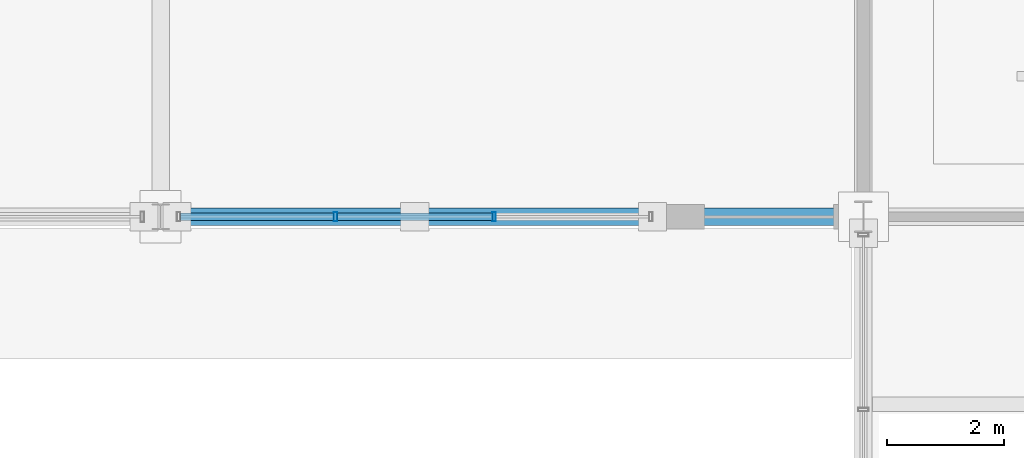
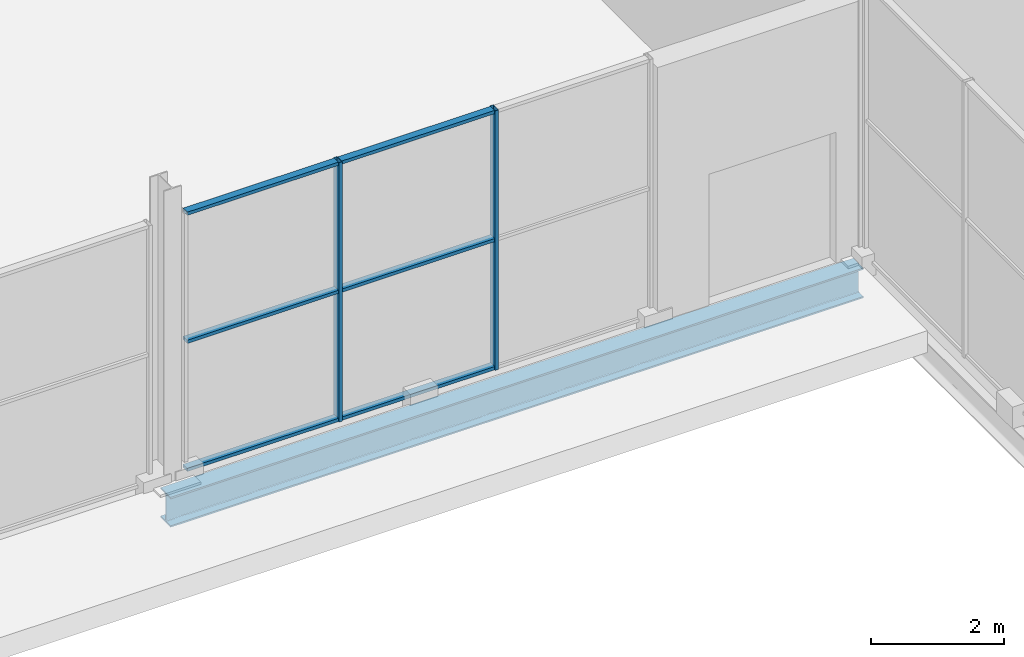
# One storey, part 126 of 196: 8 members, 1 beam, 1 element without a shape of its own.
"""IFC4 building model written with IfcOpenShell, lengths in metres."""

import ifcopenshell
import ifcopenshell.guid

model = None  # the IFC model being written
_history = None  # IfcOwnerHistory: only IFC2X3 demands one
_inside = {}  # id of a spatial element -> (the spatial element, [elements in it])
_under = {}  # id of a project, library or spatial element -> (it, [spatial elements below it])
_declared = {}  # id of a project -> (the project, [libraries it declares])
_typed = {}  # id of a type object -> (the type object, [elements of that type])
_made_of = {}  # id of a material, layer set ... -> (it, [elements and type objects made of it])


def new_model(schema):
    """Start an empty IFC model of exactly this schema.

    Asked for "IFC4X3", IfcOpenShell would pick the latest addendum, in which some entities
    have other attributes; the version numbers below select the first issue.
    IFC2X3 requires an IfcOwnerHistory on every rooted entity: one is made here for all.
    """
    global model, _history
    if schema == "IFC4X3":
        model = ifcopenshell.file(schema_version=(4, 3, 0, 0))
    else:
        model = ifcopenshell.file(schema=schema)
    _inside.clear()
    _under.clear()
    _declared.clear()
    _typed.clear()
    _made_of.clear()
    _history = None
    if model.schema == "IFC2X3":
        org = make("IfcOrganization", Name="unknown")
        user = make(
            "IfcPersonAndOrganization",
            ThePerson=make("IfcPerson", FamilyName="unknown"),
            TheOrganization=org,
        )
        app = make(
            "IfcApplication",
            ApplicationDeveloper=org,
            Version="unknown",
            ApplicationFullName="unknown",
            ApplicationIdentifier="unknown",
        )
        _history = make(
            "IfcOwnerHistory",
            OwningUser=user,
            OwningApplication=app,
            ChangeAction="ADDED",
            CreationDate=0,
        )
    return model


def make(cls, **values):
    """One entity of the class cls with the attributes given. An attribute that is None is left unset."""
    return model.create_entity(
        cls, **{name: value for name, value in values.items() if value is not None}
    )


def rooted(cls, **values):
    """An entity with a GlobalId (a new one), such as an element, a storey or a relation."""
    return make(cls, GlobalId=ifcopenshell.guid.new(), OwnerHistory=_history, **values)


def si_unit(unit_type, name, prefix=None):
    """IfcSIUnit, for example si_unit("LENGTHUNIT", "METRE", prefix="MILLI")."""
    return make("IfcSIUnit", UnitType=unit_type, Prefix=prefix, Name=name)


def assignment(units):
    """IfcUnitAssignment: the units of a project."""
    return None if units is None else make("IfcUnitAssignment", Units=units)


def point(xyz):
    """IfcCartesianPoint."""
    return None if xyz is None else make("IfcCartesianPoint", Coordinates=xyz)


def direction(xyz):
    """IfcDirection."""
    return None if xyz is None else make("IfcDirection", DirectionRatios=xyz)


def frame(location, z_axis=None, x_axis=None):
    """IfcAxis2Placement3D, a coordinate frame: its origin and axes. An axis left out is left unset."""
    return make(
        "IfcAxis2Placement3D",
        Location=point(location),
        Axis=direction(z_axis),
        RefDirection=direction(x_axis),
    )


def frame_2d(location, x_axis=None):
    """IfcAxis2Placement2D, a coordinate frame in the plane: its origin and x axis."""
    return make(
        "IfcAxis2Placement2D", Location=point(location), RefDirection=direction(x_axis)
    )


def origin():
    """The frame at (0, 0, 0) with its axes left unset."""
    return frame((0.0, 0.0, 0.0))


def origin_2d():
    """The frame at (0, 0) in the plane with its x axis left unset."""
    return frame_2d((0.0, 0.0))


def place(relative_to, where):
    """IfcLocalPlacement: puts the frame where relative to a parent placement (None: the world)."""
    return make(
        "IfcLocalPlacement", PlacementRelTo=relative_to, RelativePlacement=where
    )


def context(
    kind, dimensions, precision=None, world=None, true_north=None, identifier=None
):
    """IfcGeometricRepresentationContext, for example the 3D "Model" context."""
    return make(
        "IfcGeometricRepresentationContext",
        ContextIdentifier=identifier,
        ContextType=kind,
        CoordinateSpaceDimension=dimensions,
        Precision=precision,
        WorldCoordinateSystem=world,
        TrueNorth=true_north,
    )


def subcontext(parent, identifier, kind, view, scale=None):
    """IfcGeometricRepresentationSubContext, for example "Body" below "Model"."""
    return make(
        "IfcGeometricRepresentationSubContext",
        ContextIdentifier=identifier,
        ContextType=kind,
        ParentContext=parent,
        TargetScale=scale,
        TargetView=view,
    )


def project(units=None, contexts=None):
    """IfcProject with its units and contexts."""
    return rooted(
        "IfcProject",
        Name="project",
        RepresentationContexts=contexts,
        UnitsInContext=assignment(units),
    )


def spatial(cls, under=None, at=None, **own):
    """A site, building, storey or space (cls), placed at a placement, below another one or the project."""
    s = rooted(cls, ObjectPlacement=at, **own)
    if under is not None:
        _under.setdefault(under.id(), (under, []))[1].append(s)
    return s


def profile(cls, at=None, kind="AREA", **sizes):
    """A parametric profile (cls). Its sizes go by their IFC names, for example OverallWidth=200.0."""
    return make(cls, ProfileType=kind, Position=at, **sizes)


def hollow_rectangle(**sizes):
    """IfcRectangleHollowProfileDef."""
    return profile("IfcRectangleHollowProfileDef", **sizes)


def i_section(**sizes):
    """IfcIShapeProfileDef."""
    return profile("IfcIShapeProfileDef", **sizes)


def extrude(swept, where, along, depth):
    """IfcExtrudedAreaSolid: the profile swept, set in the frame where, extruded along a direction by depth."""
    return make(
        "IfcExtrudedAreaSolid",
        SweptArea=swept,
        Position=where,
        ExtrudedDirection=direction(along),
        Depth=depth,
    )


def shape(context_of_items, identifier, shape_type, items):
    """IfcShapeRepresentation: the items that make up one representation, for example the "Body"."""
    return make(
        "IfcShapeRepresentation",
        ContextOfItems=context_of_items,
        RepresentationIdentifier=identifier,
        RepresentationType=shape_type,
        Items=items,
    )


def material(Name=None, Category=None):
    """IfcMaterial."""
    return make("IfcMaterial", Name=Name, Category=Category)


def material_profile(
    of_material, cross_section, Name=None, Category=None, Priority=None
):
    """IfcMaterialProfile: a cross section and its material."""
    return make(
        "IfcMaterialProfile",
        Name=Name,
        Material=of_material,
        Profile=cross_section,
        Priority=Priority,
        Category=Category,
    )


def profile_set(profiles, Name=None, composite=None):
    """IfcMaterialProfileSet."""
    return make(
        "IfcMaterialProfileSet",
        Name=Name,
        MaterialProfiles=profiles,
        CompositeProfile=composite,
    )


def made_of(thing, what):
    """Note that an element or type object is made of a material, layer set ...; save() writes the relation."""
    if what is not None:
        _made_of.setdefault(what.id(), (what, []))[1].append(thing)
    return thing


def type_object(cls, material=None, **own):
    """A type object (cls), such as IfcWallType, which elements share."""
    return made_of(rooted(cls, **own), material)


def element(
    cls,
    number,
    at=None,
    inside=None,
    cuts=None,
    type_object=None,
    material=None,
    context=None,
    identifier="Body",
    shape_type=None,
    held_by="IfcProductDefinitionShape",
    body=None,
    shapes=None,
    **own,
):
    """One element of the class cls, such as IfcWall. Its Tag is "e" and its number.

    at: its placement. inside: the storey or other place that contains it. cuts: it is an
    opening in that element (IfcRelVoidsElement). A single representation is given by context,
    identifier, shape_type and body (its items); several are given by shapes. held_by: the class
    of the entity that holds the representations. save() writes the other relations.
    """
    e = rooted(cls, Tag="e%d" % number, ObjectPlacement=at, **own)
    if body is not None:
        shapes = [shape(context, identifier, shape_type, body)]
    if shapes is not None:
        e.Representation = make(held_by, Representations=shapes)
    if inside is not None:
        _inside.setdefault(inside.id(), (inside, []))[1].append(e)
    if cuts is not None:
        rooted(
            "IfcRelVoidsElement", RelatingBuildingElement=cuts, RelatedOpeningElement=e
        )
    if type_object is not None:
        _typed.setdefault(type_object.id(), (type_object, []))[1].append(e)
    return made_of(e, material)


def aggregate(whole, parts):
    """IfcRelAggregates: a whole, such as a stair, and the parts it consists of."""
    return rooted("IfcRelAggregates", RelatingObject=whole, RelatedObjects=parts)


def save(model, path):
    """Write the relations noted so far, then the file.

    IfcRelAggregates (storeys below a building ...), IfcRelContainedInSpatialStructure (elements
    in a storey), IfcRelDefinesByType, IfcRelAssociatesMaterial and IfcRelDeclares: one each for
    every whole, place, type object, material and project.
    """
    for whole, parts in _under.values():
        aggregate(whole, parts)
    for where, things in _inside.values():
        rooted(
            "IfcRelContainedInSpatialStructure",
            RelatedElements=things,
            RelatingStructure=where,
        )
    for kind, things in _typed.values():
        rooted("IfcRelDefinesByType", RelatedObjects=things, RelatingType=kind)
    for what, things in _made_of.values():
        rooted("IfcRelAssociatesMaterial", RelatedObjects=things, RelatingMaterial=what)
    for by, libraries in _declared.values():
        rooted("IfcRelDeclares", RelatingContext=by, RelatedDefinitions=libraries)
    model.write(path)


model = new_model("IFC4")

# Units and contexts
model_context = context("Model", 3, precision=1e-05, world=origin(), true_north=direction((0.0, 1.0)))
body_context = subcontext(model_context, "Body", "Model", "MODEL_VIEW")
ifc_project = project(units=[si_unit("LENGTHUNIT", "METRE"), si_unit("AREAUNIT", "SQUARE_METRE"), si_unit("VOLUMEUNIT", "CUBIC_METRE"), si_unit("PLANEANGLEUNIT", "RADIAN"), si_unit("MASSUNIT", "GRAM", prefix="KILO")], contexts=[model_context])

# Site, building, storey
site_placement = place(None, origin())
site = spatial("IfcSite", under=ifc_project, at=site_placement, CompositionType="ELEMENT")
building_placement = place(site_placement, origin())
building = spatial("IfcBuilding", under=site, at=building_placement, Name="Merenkruunu Market Hall", CompositionType="ELEMENT")
storey_placement = place(building_placement, origin())
storey = spatial("IfcBuildingStorey", under=building, at=storey_placement, Name="L00", CompositionType="ELEMENT", Elevation=0.0)

# Curtain wall, members
ifc_material_1 = material(Name="Powder-coated aluminium", Category="aluminium")
curtain_wall_type = type_object("IfcCurtainWallType", Name="Glazed Curtain Wall CW06", PredefinedType="USERDEFINED", material=ifc_material_1)
curtain_wall_placement = place(storey_placement, origin())
curtain_wall = element("IfcCurtainWall", 1, at=curtain_wall_placement, inside=storey, type_object=curtain_wall_type, Name="CW-L00-CWM01-198", ObjectType="GLAZED_FACADE", PredefinedType="USERDEFINED")
ifc_material_profile_1 = material_profile(ifc_material_1, hollow_rectangle(XDim=0.06005859375, YDim=0.159912109375, WallThickness=0.00390625, at=origin_2d()), Name="ALU 60x160x4")
ifc_profile_set_1 = profile_set([ifc_material_profile_1], Name="Powder-coated aluminium")
member_type_1 = type_object("IfcMemberType", Name="Curtain Wall Mullion CWM01", PredefinedType="MULLION", material=ifc_profile_set_1)
member_1_placement = place(storey_placement, frame((142.493408203125, 15.60009765625, 0.0), z_axis=(0.0, 0.0, 1.0), x_axis=(-1.0, 0.0, 0.0)))
member_1 = element("IfcMember", 2, at=member_1_placement, type_object=member_type_1, Name="CW06 mullion 2", PredefinedType="MULLION", context=body_context, shape_type="SweptSolid", body=[
    extrude(hollow_rectangle(XDim=0.06005859375, YDim=0.159912109375, WallThickness=0.00390625, at=origin_2d()), origin(), (0.0, 0.0, 1.0), 4.75),
])
member_2_placement = place(storey_placement, frame((139.78662109375, 15.60009765625, 0.0), z_axis=(0.0, 0.0, 1.0), x_axis=(-1.0, 0.0, 0.0)))
member_2 = element("IfcMember", 3, at=member_2_placement, type_object=member_type_1, Name="CW06 mullion 3", PredefinedType="MULLION", context=body_context, shape_type="SweptSolid", body=[
    extrude(hollow_rectangle(XDim=0.06005859375, YDim=0.159912109375, WallThickness=0.00390625, at=origin_2d()), origin(), (0.0, 0.0, 1.0), 4.75),
])
ifc_material_profile_2 = material_profile(ifc_material_1, hollow_rectangle(XDim=0.06005859375, YDim=0.125, WallThickness=0.00390625, at=origin_2d()), Name="ALU 60x125x4")
ifc_profile_set_2 = profile_set([ifc_material_profile_2], Name="Powder-coated aluminium")
member_type_2 = type_object("IfcMemberType", Name="Curtain Wall Transom CWT01", PredefinedType="USERDEFINED", material=ifc_profile_set_2)
member_3_placement = place(storey_placement, frame((142.46337890625, 15.60009765625, 0.030029296875), z_axis=(-1.0, 0.0, 0.0), x_axis=(0.0, 0.0, 1.0)))
member_3 = element("IfcMember", 4, at=member_3_placement, type_object=member_type_2, Name="CW06 transom 2.1", ObjectType="TRANSOM", PredefinedType="USERDEFINED", context=body_context, shape_type="SweptSolid", body=[
    extrude(hollow_rectangle(XDim=0.06005859375, YDim=0.125, WallThickness=0.00390625, at=origin_2d()), origin(), (0.0, 0.0, 1.0), 2.646728515625),
])
member_4_placement = place(storey_placement, frame((142.46337890625, 15.60009765625, 2.375), z_axis=(-1.0, 0.0, 0.0), x_axis=(0.0, 0.0, 1.0)))
member_4 = element("IfcMember", 5, at=member_4_placement, type_object=member_type_2, Name="CW06 transom 2.2", ObjectType="TRANSOM", PredefinedType="USERDEFINED", context=body_context, shape_type="SweptSolid", body=[
    extrude(hollow_rectangle(XDim=0.06005859375, YDim=0.125, WallThickness=0.00390625, at=origin_2d()), origin(), (0.0, 0.0, 1.0), 2.646728515625),
])
member_5_placement = place(storey_placement, frame((142.46337890625, 15.60009765625, 4.719970703125), z_axis=(-1.0, 0.0, 0.0), x_axis=(0.0, 0.0, 1.0)))
member_5 = element("IfcMember", 6, at=member_5_placement, type_object=member_type_2, Name="CW06 transom 2.3", ObjectType="TRANSOM", PredefinedType="USERDEFINED", context=body_context, shape_type="SweptSolid", body=[
    extrude(hollow_rectangle(XDim=0.06005859375, YDim=0.125, WallThickness=0.00390625, at=origin_2d()), origin(), (0.0, 0.0, 1.0), 2.646728515625),
])
member_6_placement = place(storey_placement, frame((139.756591796875, 15.60009765625, 0.030029296875), z_axis=(-1.0, 0.0, 0.0), x_axis=(0.0, 0.0, 1.0)))
member_6 = element("IfcMember", 7, at=member_6_placement, type_object=member_type_2, Name="CW06 transom 3.1", ObjectType="TRANSOM", PredefinedType="USERDEFINED", context=body_context, shape_type="SweptSolid", body=[
    extrude(hollow_rectangle(XDim=0.06005859375, YDim=0.125, WallThickness=0.00390625, at=origin_2d()), origin(), (0.0, 0.0, 1.0), 2.61669921875),
])
member_7_placement = place(storey_placement, frame((139.756591796875, 15.60009765625, 2.375), z_axis=(-1.0, 0.0, 0.0), x_axis=(0.0, 0.0, 1.0)))
member_7 = element("IfcMember", 8, at=member_7_placement, type_object=member_type_2, Name="CW06 transom 3.2", ObjectType="TRANSOM", PredefinedType="USERDEFINED", context=body_context, shape_type="SweptSolid", body=[
    extrude(hollow_rectangle(XDim=0.06005859375, YDim=0.125, WallThickness=0.00390625, at=origin_2d()), origin(), (0.0, 0.0, 1.0), 2.61669921875),
])
member_8_placement = place(storey_placement, frame((139.756591796875, 15.60009765625, 4.719970703125), z_axis=(-1.0, 0.0, 0.0), x_axis=(0.0, 0.0, 1.0)))
member_8 = element("IfcMember", 9, at=member_8_placement, type_object=member_type_2, Name="CW06 transom 3.3", ObjectType="TRANSOM", PredefinedType="USERDEFINED", context=body_context, shape_type="SweptSolid", body=[
    extrude(hollow_rectangle(XDim=0.06005859375, YDim=0.125, WallThickness=0.00390625, at=origin_2d()), origin(), (0.0, 0.0, 1.0), 2.61669921875),
])
aggregate(curtain_wall, [member_1, member_2, member_3, member_4, member_5, member_6, member_7, member_8])

# Beam
ifc_material_2 = material(Name="Steel S355J2", Category="steel")
ifc_material_profile_3 = material_profile(ifc_material_2, i_section(OverallWidth=0.300048828125, OverallDepth=0.550048828125, WebThickness=0.014892578125, FlangeThickness=0.029052734375, FilletRadius=0.027099609375, at=origin_2d()), Name="HEB 550")
ifc_profile_set_3 = profile_set([ifc_material_profile_3], Name="Steel S355J2")
beam_type = type_object("IfcBeamType", Name="Primary Floor Girder B02", PredefinedType="BEAM", material=ifc_profile_set_3)
beam_placement = place(storey_placement, frame((136.800048828125, 15.60009765625, -0.574951171875), z_axis=(1.0, 0.0, 0.0), x_axis=(0.0, 1.0, 0.0)))
element("IfcBeam", 10, at=beam_placement, inside=storey, type_object=beam_type, Name="BM-L00-B02-0022", PredefinedType="BEAM", context=body_context, shape_type="SweptSolid", body=[
    extrude(i_section(OverallWidth=0.300048828125, OverallDepth=0.550048828125, WebThickness=0.014892578125, FlangeThickness=0.029052734375, FilletRadius=0.027099609375, at=origin_2d()), origin(), (0.0, 0.0, 1.0), 12.0),
])

save(model, "model.ifc")
